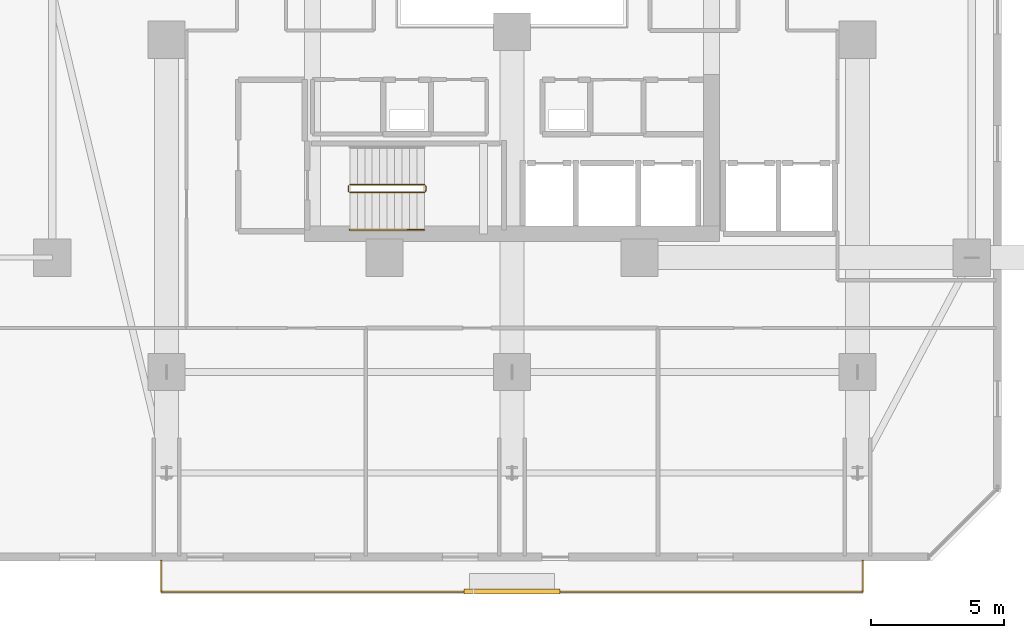
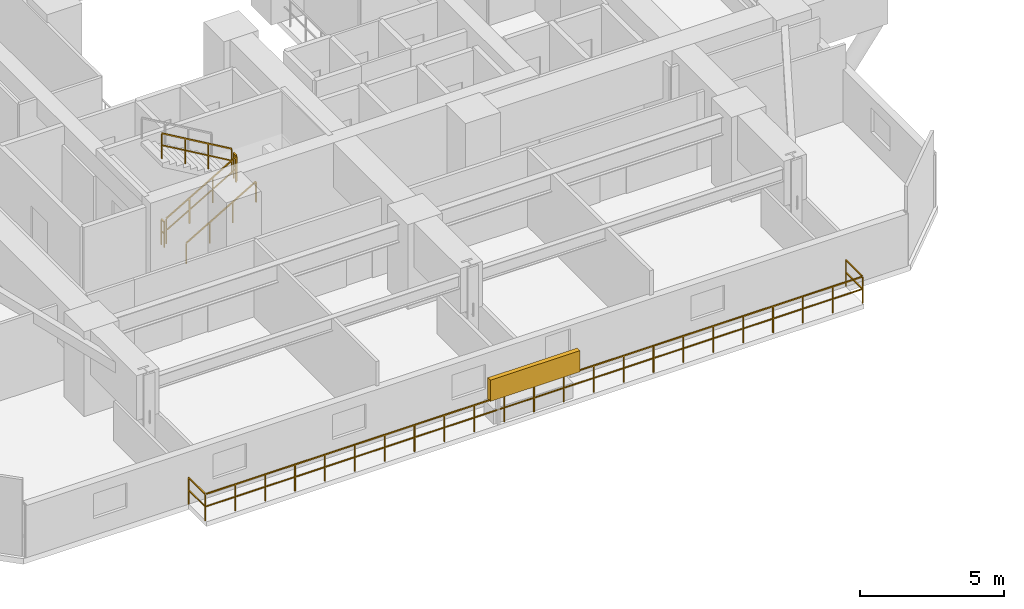
# One storey, part 32 of 36: 6 railings, 1 shading device.
"""IFC4 building model written with IfcOpenShell, lengths in metres."""

from ifc_helpers import new_model, si_unit, direction, frame, origin, origin_2d, place, context, subcontext, project, spatial, rectangle, extrude, material, type_object, element, save


model = new_model("IFC4")

# Units and contexts
model_context = context("Model", 3, precision=1e-05, world=origin(), true_north=direction((0.0, 1.0)))
body_context = subcontext(model_context, "Body", "Model", "MODEL_VIEW")
ifc_project = project(units=[si_unit("LENGTHUNIT", "METRE"), si_unit("AREAUNIT", "SQUARE_METRE"), si_unit("VOLUMEUNIT", "CUBIC_METRE"), si_unit("PLANEANGLEUNIT", "RADIAN"), si_unit("MASSUNIT", "GRAM", prefix="KILO")], contexts=[model_context])

# Site, building, storey
site_placement = place(None, origin())
site = spatial("IfcSite", under=ifc_project, at=site_placement, CompositionType="ELEMENT")
building_placement = place(site_placement, origin())
building = spatial("IfcBuilding", under=site, at=building_placement, Name="Thornwick Lancets Civic Towers", CompositionType="ELEMENT")
storey_placement = place(building_placement, frame((0.0, 0.0, 45.89990234375)))
storey = spatial("IfcBuildingStorey", under=building, at=storey_placement, Name="L11", CompositionType="ELEMENT", Elevation=45.89990234375)

# Railings
ifc_material_1 = material(Name="Brushed stainless steel S355", Category="steel")
railing_type_1 = type_object("IfcRailingType", Name="RAIL_HANDRAIL", PredefinedType="HANDRAIL", material=ifc_material_1)
railing_1_placement = place(storey_placement, frame((19.39990234375, 15.050048828125, 0.163818359375)))
element("IfcRailing", 1, at=railing_1_placement, inside=storey, type_object=railing_type_1, Name="L11 ST-A1 stair handrail 1", PredefinedType="HANDRAIL", context=body_context, shape_type="SweptSolid", body=[
    extrude(rectangle(XDim=0.048095703125, YDim=0.048095703125, at=origin_2d()), frame((0.0, 0.0, 0.8857421875), z_axis=(0.863393664356, 0.0, 0.504530851732), x_axis=(0.0, 1.0, 0.0)), (0.0, 0.0, 1.0), 3.2431640625),
    extrude(rectangle(XDim=0.0419921875, YDim=0.0419921875, at=origin_2d()), origin(), (0.0, 0.0, 1.0), 0.855712890625),
    extrude(rectangle(XDim=0.0419921875, YDim=0.0419921875, at=origin_2d()), frame((0.933349609375, 0.0, 0.54541015625)), (0.0, 0.0, 1.0), 0.855712890625),
    extrude(rectangle(XDim=0.0419921875, YDim=0.0419921875, at=origin_2d()), frame((1.86669921875, 0.0, 1.0908203125)), (0.0, 0.0, 1.0), 0.855712890625),
    extrude(rectangle(XDim=0.0419921875, YDim=0.0419921875, at=origin_2d()), frame((2.800048828125, 0.0, 1.63623046875)), (0.0, 0.0, 1.0), 0.855712890625),
])
ifc_material_2 = material(Name="Steel S355JR", Category="steel")
railing_type_2 = type_object("IfcRailingType", Name="RAIL_STAIR_GUARD", PredefinedType="GUARDRAIL", material=ifc_material_2)
railing_2_placement = place(storey_placement, frame((19.39990234375, 16.449951171875, 0.163818359375)))
element("IfcRailing", 2, at=railing_2_placement, inside=storey, type_object=railing_type_2, Name="L11 ST-A1 stair guard 1", PredefinedType="GUARDRAIL", context=body_context, shape_type="SweptSolid", body=[
    extrude(rectangle(XDim=0.048095703125, YDim=0.048095703125, at=origin_2d()), frame((0.0, 0.0, 1.076171875), z_axis=(0.863393664356, 0.0, 0.504530851732), x_axis=(0.0, 1.0, 0.0)), (0.0, 0.0, 1.0), 3.2431640625),
    extrude(rectangle(XDim=0.0419921875, YDim=0.0419921875, at=origin_2d()), frame((0.032470703125, 0.0, 0.591064453125), z_axis=(0.863393664356, 0.0, 0.504530851732), x_axis=(0.0, 1.0, 0.0)), (0.0, 0.0, 1.0), 1.006103515625),
    extrude(rectangle(XDim=0.0419921875, YDim=0.0419921875, at=origin_2d()), frame((0.9658203125, 0.0, 1.136474609375), z_axis=(0.863393664356, 0.0, 0.504530851732), x_axis=(0.0, 1.0, 0.0)), (0.0, 0.0, 1.0), 1.006103515625),
    extrude(rectangle(XDim=0.0419921875, YDim=0.0419921875, at=origin_2d()), frame((1.899169921875, 0.0, 1.681884765625), z_axis=(0.863393664356, 0.0, 0.504530851732), x_axis=(0.0, 1.0, 0.0)), (0.0, 0.0, 1.0), 1.006103515625),
    extrude(rectangle(XDim=0.0419921875, YDim=0.0419921875, at=origin_2d()), origin(), (0.0, 0.0, 1.0), 1.0458984375),
    extrude(rectangle(XDim=0.0419921875, YDim=0.0419921875, at=origin_2d()), frame((0.933349609375, 0.0, 0.54541015625)), (0.0, 0.0, 1.0), 1.0458984375),
    extrude(rectangle(XDim=0.0419921875, YDim=0.0419921875, at=origin_2d()), frame((1.86669921875, 0.0, 1.0908203125)), (0.0, 0.0, 1.0), 1.0458984375),
    extrude(rectangle(XDim=0.0419921875, YDim=0.0419921875, at=origin_2d()), frame((2.800048828125, 0.0, 1.63623046875)), (0.0, 0.0, 1.0), 1.0458984375),
])
railing_3_placement = place(storey_placement, frame((22.25, 16.5, 1.800048828125)))
element("IfcRailing", 3, at=railing_3_placement, inside=storey, type_object=railing_type_2, Name="L11 ST-A1 stair guard 2", PredefinedType="GUARDRAIL", context=body_context, shape_type="SweptSolid", body=[
    extrude(rectangle(XDim=0.048095703125, YDim=0.048095703125, at=origin_2d()), frame((0.0, 0.0, 1.076171875), z_axis=(0.0, 1.0, 0.0), x_axis=(-1.0, 0.0, 0.0)), (0.0, 0.0, 1.0), 0.199951171875),
    extrude(rectangle(XDim=0.0419921875, YDim=0.0419921875, at=origin_2d()), frame((0.0, 0.03759765625, 0.572021484375), z_axis=(0.0, 1.0, 0.0), x_axis=(-1.0, 0.0, 0.0)), (0.0, 0.0, 1.0), 0.125),
    extrude(rectangle(XDim=0.0419921875, YDim=0.0419921875, at=origin_2d()), origin(), (0.0, 0.0, 1.0), 1.0458984375),
    extrude(rectangle(XDim=0.0419921875, YDim=0.0419921875, at=origin_2d()), frame((0.0, 0.199951171875, 0.0)), (0.0, 0.0, 1.0), 1.0458984375),
])
railing_4_placement = place(storey_placement, frame((22.199951171875, 16.75, 1.963623046875)))
element("IfcRailing", 4, at=railing_4_placement, inside=storey, type_object=railing_type_2, Name="L11 ST-A1 stair guard 3", PredefinedType="GUARDRAIL", context=body_context, shape_type="SweptSolid", body=[
    extrude(rectangle(XDim=0.048095703125, YDim=0.048095703125, at=origin_2d()), frame((0.0, 0.0, 1.076171875), z_axis=(-0.863360870873, 0.0, 0.504586966384), x_axis=(0.0, -1.0, 0.0)), (0.0, 0.0, 1.0), 3.2431640625),
    extrude(rectangle(XDim=0.0419921875, YDim=0.0419921875, at=origin_2d()), frame((-0.032470703125, 0.0, 0.591064453125), z_axis=(-0.863360870873, 0.0, 0.504586966384), x_axis=(0.0, -1.0, 0.0)), (0.0, 0.0, 1.0), 1.006103515625),
    extrude(rectangle(XDim=0.0419921875, YDim=0.0419921875, at=origin_2d()), frame((-0.9658203125, 0.0, 1.136474609375), z_axis=(-0.863360870873, 0.0, 0.504586966384), x_axis=(0.0, -1.0, 0.0)), (0.0, 0.0, 1.0), 1.006103515625),
    extrude(rectangle(XDim=0.0419921875, YDim=0.0419921875, at=origin_2d()), frame((-1.899169921875, 0.0, 1.681884765625), z_axis=(-0.863360870873, 0.0, 0.504586966384), x_axis=(0.0, -1.0, 0.0)), (0.0, 0.0, 1.0), 1.006103515625),
    extrude(rectangle(XDim=0.0419921875, YDim=0.0419921875, at=origin_2d()), origin(), (0.0, 0.0, 1.0), 1.0458984375),
    extrude(rectangle(XDim=0.0419921875, YDim=0.0419921875, at=origin_2d()), frame((-0.933349609375, 0.0, 0.54541015625)), (0.0, 0.0, 1.0), 1.0458984375),
    extrude(rectangle(XDim=0.0419921875, YDim=0.0419921875, at=origin_2d()), frame((-1.86669921875, 0.0, 1.091064453125)), (0.0, 0.0, 1.0), 1.0458984375),
    extrude(rectangle(XDim=0.0419921875, YDim=0.0419921875, at=origin_2d()), frame((-2.800048828125, 0.0, 1.636474609375)), (0.0, 0.0, 1.0), 1.0458984375),
])
railing_5_placement = place(storey_placement, frame((19.35009765625, 16.5, 0.0)))
element("IfcRailing", 5, at=railing_5_placement, inside=storey, type_object=railing_type_2, Name="L11 ST-A1 stair guard 4", PredefinedType="GUARDRAIL", context=body_context, shape_type="SweptSolid", body=[
    extrude(rectangle(XDim=0.048095703125, YDim=0.048095703125, at=origin_2d()), frame((0.0, 0.0, 1.076171875), z_axis=(0.0, 1.0, 0.0), x_axis=(-1.0, 0.0, 0.0)), (0.0, 0.0, 1.0), 0.199951171875),
    extrude(rectangle(XDim=0.0419921875, YDim=0.0419921875, at=origin_2d()), frame((0.0, 0.03759765625, 0.572021484375), z_axis=(0.0, 1.0, 0.0), x_axis=(-1.0, 0.0, 0.0)), (0.0, 0.0, 1.0), 0.125),
    extrude(rectangle(XDim=0.0419921875, YDim=0.0419921875, at=origin_2d()), origin(), (0.0, 0.0, 1.0), 1.0458984375),
    extrude(rectangle(XDim=0.0419921875, YDim=0.0419921875, at=origin_2d()), frame((0.0, 0.199951171875, 0.0)), (0.0, 0.0, 1.0), 1.0458984375),
])
ifc_material_3 = material(Name="Terracotta-capped laminated glass balustrade S355", Category="masonry")
railing_type_3 = type_object("IfcRailingType", Name="RAIL_TERR_GUARD", PredefinedType="GUARDRAIL", material=ifc_material_3)
railing_6_placement = place(storey_placement, frame((12.300048828125, 2.60009765625, 0.0)))
element("IfcRailing", 6, at=railing_6_placement, inside=storey, type_object=railing_type_3, Name="L11 Tower A Balcony Guard S", PredefinedType="GUARDRAIL", context=body_context, shape_type="SweptSolid", body=[
    extrude(rectangle(XDim=0.048095703125, YDim=0.048095703125, at=origin_2d()), frame((0.0, 0.0, 1.1259765625), z_axis=(0.0, -1.0, 0.0), x_axis=(1.0, 0.0, 0.0)), (0.0, 0.0, 1.0), 1.138916015625),
    extrude(rectangle(XDim=0.0419921875, YDim=0.0419921875, at=origin_2d()), frame((0.0, -0.03759765625, 0.597900390625), z_axis=(0.0, -1.0, 0.0), x_axis=(1.0, 0.0, 0.0)), (0.0, 0.0, 1.0), 1.09521484375),
    extrude(rectangle(XDim=0.048095703125, YDim=0.048095703125, at=origin_2d()), frame((0.03125, -1.170166015625, 1.1259765625), z_axis=(1.0, 0.0, 0.0), x_axis=(0.0, 1.0, 0.0)), (0.0, 0.0, 1.0), 26.33740234375),
    extrude(rectangle(XDim=0.0419921875, YDim=0.0419921875, at=origin_2d()), frame((0.03759765625, -1.170166015625, 0.597900390625), z_axis=(1.0, 0.0, 0.0), x_axis=(0.0, 1.0, 0.0)), (0.0, 0.0, 1.0), 1.125),
    extrude(rectangle(XDim=0.0419921875, YDim=0.0419921875, at=origin_2d()), frame((1.237548828125, -1.170166015625, 0.597900390625), z_axis=(1.0, 0.0, 0.0), x_axis=(0.0, 1.0, 0.0)), (0.0, 0.0, 1.0), 1.125),
    extrude(rectangle(XDim=0.0419921875, YDim=0.0419921875, at=origin_2d()), frame((2.4375, -1.170166015625, 0.597900390625), z_axis=(1.0, 0.0, 0.0), x_axis=(0.0, 1.0, 0.0)), (0.0, 0.0, 1.0), 1.125),
    extrude(rectangle(XDim=0.0419921875, YDim=0.0419921875, at=origin_2d()), frame((3.637451171875, -1.170166015625, 0.597900390625), z_axis=(1.0, 0.0, 0.0), x_axis=(0.0, 1.0, 0.0)), (0.0, 0.0, 1.0), 1.125),
    extrude(rectangle(XDim=0.0419921875, YDim=0.0419921875, at=origin_2d()), frame((4.83740234375, -1.170166015625, 0.597900390625), z_axis=(1.0, 0.0, 0.0), x_axis=(0.0, 1.0, 0.0)), (0.0, 0.0, 1.0), 1.125),
    extrude(rectangle(XDim=0.0419921875, YDim=0.0419921875, at=origin_2d()), frame((6.037353515625, -1.170166015625, 0.597900390625), z_axis=(1.0, 0.0, 0.0), x_axis=(0.0, 1.0, 0.0)), (0.0, 0.0, 1.0), 1.125),
    extrude(rectangle(XDim=0.0419921875, YDim=0.0419921875, at=origin_2d()), frame((7.237548828125, -1.170166015625, 0.597900390625), z_axis=(1.0, 0.0, 0.0), x_axis=(0.0, 1.0, 0.0)), (0.0, 0.0, 1.0), 1.125),
    extrude(rectangle(XDim=0.0419921875, YDim=0.0419921875, at=origin_2d()), frame((8.4375, -1.170166015625, 0.597900390625), z_axis=(1.0, 0.0, 0.0), x_axis=(0.0, 1.0, 0.0)), (0.0, 0.0, 1.0), 1.125),
    extrude(rectangle(XDim=0.0419921875, YDim=0.0419921875, at=origin_2d()), frame((9.637451171875, -1.170166015625, 0.597900390625), z_axis=(1.0, 0.0, 0.0), x_axis=(0.0, 1.0, 0.0)), (0.0, 0.0, 1.0), 1.125),
    extrude(rectangle(XDim=0.0419921875, YDim=0.0419921875, at=origin_2d()), frame((10.83740234375, -1.170166015625, 0.597900390625), z_axis=(1.0, 0.0, 0.0), x_axis=(0.0, 1.0, 0.0)), (0.0, 0.0, 1.0), 1.125),
    extrude(rectangle(XDim=0.0419921875, YDim=0.0419921875, at=origin_2d()), frame((12.037353515625, -1.170166015625, 0.597900390625), z_axis=(1.0, 0.0, 0.0), x_axis=(0.0, 1.0, 0.0)), (0.0, 0.0, 1.0), 1.125),
    extrude(rectangle(XDim=0.0419921875, YDim=0.0419921875, at=origin_2d()), frame((13.237548828125, -1.170166015625, 0.597900390625), z_axis=(1.0, 0.0, 0.0), x_axis=(0.0, 1.0, 0.0)), (0.0, 0.0, 1.0), 1.125),
    extrude(rectangle(XDim=0.0419921875, YDim=0.0419921875, at=origin_2d()), frame((14.4375, -1.170166015625, 0.597900390625), z_axis=(1.0, 0.0, 0.0), x_axis=(0.0, 1.0, 0.0)), (0.0, 0.0, 1.0), 1.125),
    extrude(rectangle(XDim=0.0419921875, YDim=0.0419921875, at=origin_2d()), frame((15.637451171875, -1.170166015625, 0.597900390625), z_axis=(1.0, 0.0, 0.0), x_axis=(0.0, 1.0, 0.0)), (0.0, 0.0, 1.0), 1.125),
    extrude(rectangle(XDim=0.0419921875, YDim=0.0419921875, at=origin_2d()), frame((16.83740234375, -1.170166015625, 0.597900390625), z_axis=(1.0, 0.0, 0.0), x_axis=(0.0, 1.0, 0.0)), (0.0, 0.0, 1.0), 1.125),
    extrude(rectangle(XDim=0.0419921875, YDim=0.0419921875, at=origin_2d()), frame((18.037353515625, -1.170166015625, 0.597900390625), z_axis=(1.0, 0.0, 0.0), x_axis=(0.0, 1.0, 0.0)), (0.0, 0.0, 1.0), 1.125),
    extrude(rectangle(XDim=0.0419921875, YDim=0.0419921875, at=origin_2d()), frame((19.2373046875, -1.170166015625, 0.597900390625), z_axis=(1.0, 0.0, 0.0), x_axis=(0.0, 1.0, 0.0)), (0.0, 0.0, 1.0), 1.125),
    extrude(rectangle(XDim=0.0419921875, YDim=0.0419921875, at=origin_2d()), frame((20.4375, -1.170166015625, 0.597900390625), z_axis=(1.0, 0.0, 0.0), x_axis=(0.0, 1.0, 0.0)), (0.0, 0.0, 1.0), 1.125),
    extrude(rectangle(XDim=0.0419921875, YDim=0.0419921875, at=origin_2d()), frame((21.637451171875, -1.170166015625, 0.597900390625), z_axis=(1.0, 0.0, 0.0), x_axis=(0.0, 1.0, 0.0)), (0.0, 0.0, 1.0), 1.125),
    extrude(rectangle(XDim=0.0419921875, YDim=0.0419921875, at=origin_2d()), frame((22.83740234375, -1.170166015625, 0.597900390625), z_axis=(1.0, 0.0, 0.0), x_axis=(0.0, 1.0, 0.0)), (0.0, 0.0, 1.0), 1.125),
    extrude(rectangle(XDim=0.0419921875, YDim=0.0419921875, at=origin_2d()), frame((24.037353515625, -1.170166015625, 0.597900390625), z_axis=(1.0, 0.0, 0.0), x_axis=(0.0, 1.0, 0.0)), (0.0, 0.0, 1.0), 1.125),
    extrude(rectangle(XDim=0.0419921875, YDim=0.0419921875, at=origin_2d()), frame((25.2373046875, -1.170166015625, 0.597900390625), z_axis=(1.0, 0.0, 0.0), x_axis=(0.0, 1.0, 0.0)), (0.0, 0.0, 1.0), 1.125),
    extrude(rectangle(XDim=0.048095703125, YDim=0.048095703125, at=origin_2d()), frame((26.39990234375, -1.138916015625, 1.1259765625), z_axis=(0.0, 1.0, 0.0), x_axis=(-1.0, 0.0, 0.0)), (0.0, 0.0, 1.0), 1.138916015625),
    extrude(rectangle(XDim=0.0419921875, YDim=0.0419921875, at=origin_2d()), frame((26.39990234375, -1.132568359375, 0.597900390625), z_axis=(0.0, 1.0, 0.0), x_axis=(-1.0, 0.0, 0.0)), (0.0, 0.0, 1.0), 1.09521484375),
    extrude(rectangle(XDim=0.0419921875, YDim=0.0419921875, at=origin_2d()), origin(), (0.0, 0.0, 1.0), 1.095703125),
    extrude(rectangle(XDim=0.0419921875, YDim=0.0419921875, at=origin_2d()), frame((0.0, -1.170166015625, 0.0)), (0.0, 0.0, 1.0), 1.095703125),
    extrude(rectangle(XDim=0.0419921875, YDim=0.0419921875, at=origin_2d()), frame((1.199951171875, -1.170166015625, 0.0)), (0.0, 0.0, 1.0), 1.095703125),
    extrude(rectangle(XDim=0.0419921875, YDim=0.0419921875, at=origin_2d()), frame((2.39990234375, -1.170166015625, 0.0)), (0.0, 0.0, 1.0), 1.095703125),
    extrude(rectangle(XDim=0.0419921875, YDim=0.0419921875, at=origin_2d()), frame((3.60009765625, -1.170166015625, 0.0)), (0.0, 0.0, 1.0), 1.095703125),
    extrude(rectangle(XDim=0.0419921875, YDim=0.0419921875, at=origin_2d()), frame((4.800048828125, -1.170166015625, 0.0)), (0.0, 0.0, 1.0), 1.095703125),
    extrude(rectangle(XDim=0.0419921875, YDim=0.0419921875, at=origin_2d()), frame((6.0, -1.170166015625, 0.0)), (0.0, 0.0, 1.0), 1.095703125),
    extrude(rectangle(XDim=0.0419921875, YDim=0.0419921875, at=origin_2d()), frame((7.199951171875, -1.170166015625, 0.0)), (0.0, 0.0, 1.0), 1.095703125),
    extrude(rectangle(XDim=0.0419921875, YDim=0.0419921875, at=origin_2d()), frame((8.39990234375, -1.170166015625, 0.0)), (0.0, 0.0, 1.0), 1.095703125),
    extrude(rectangle(XDim=0.0419921875, YDim=0.0419921875, at=origin_2d()), frame((9.599853515625, -1.170166015625, 0.0)), (0.0, 0.0, 1.0), 1.095703125),
    extrude(rectangle(XDim=0.0419921875, YDim=0.0419921875, at=origin_2d()), frame((10.800048828125, -1.170166015625, 0.0)), (0.0, 0.0, 1.0), 1.095703125),
    extrude(rectangle(XDim=0.0419921875, YDim=0.0419921875, at=origin_2d()), frame((12.0, -1.170166015625, 0.0)), (0.0, 0.0, 1.0), 1.095703125),
    extrude(rectangle(XDim=0.0419921875, YDim=0.0419921875, at=origin_2d()), frame((13.199951171875, -1.170166015625, 0.0)), (0.0, 0.0, 1.0), 1.095703125),
    extrude(rectangle(XDim=0.0419921875, YDim=0.0419921875, at=origin_2d()), frame((14.39990234375, -1.170166015625, 0.0)), (0.0, 0.0, 1.0), 1.095703125),
    extrude(rectangle(XDim=0.0419921875, YDim=0.0419921875, at=origin_2d()), frame((15.599853515625, -1.170166015625, 0.0)), (0.0, 0.0, 1.0), 1.095703125),
    extrude(rectangle(XDim=0.0419921875, YDim=0.0419921875, at=origin_2d()), frame((16.800048828125, -1.170166015625, 0.0)), (0.0, 0.0, 1.0), 1.095703125),
    extrude(rectangle(XDim=0.0419921875, YDim=0.0419921875, at=origin_2d()), frame((18.0, -1.170166015625, 0.0)), (0.0, 0.0, 1.0), 1.095703125),
    extrude(rectangle(XDim=0.0419921875, YDim=0.0419921875, at=origin_2d()), frame((19.199951171875, -1.170166015625, 0.0)), (0.0, 0.0, 1.0), 1.095703125),
    extrude(rectangle(XDim=0.0419921875, YDim=0.0419921875, at=origin_2d()), frame((20.39990234375, -1.170166015625, 0.0)), (0.0, 0.0, 1.0), 1.095703125),
    extrude(rectangle(XDim=0.0419921875, YDim=0.0419921875, at=origin_2d()), frame((21.599853515625, -1.170166015625, 0.0)), (0.0, 0.0, 1.0), 1.095703125),
    extrude(rectangle(XDim=0.0419921875, YDim=0.0419921875, at=origin_2d()), frame((22.7998046875, -1.170166015625, 0.0)), (0.0, 0.0, 1.0), 1.095703125),
    extrude(rectangle(XDim=0.0419921875, YDim=0.0419921875, at=origin_2d()), frame((24.0, -1.170166015625, 0.0)), (0.0, 0.0, 1.0), 1.095703125),
    extrude(rectangle(XDim=0.0419921875, YDim=0.0419921875, at=origin_2d()), frame((25.199951171875, -1.170166015625, 0.0)), (0.0, 0.0, 1.0), 1.095703125),
    extrude(rectangle(XDim=0.0419921875, YDim=0.0419921875, at=origin_2d()), frame((26.39990234375, -1.170166015625, 0.0)), (0.0, 0.0, 1.0), 1.095703125),
    extrude(rectangle(XDim=0.0419921875, YDim=0.0419921875, at=origin_2d()), frame((26.39990234375, 0.0, 0.0)), (0.0, 0.0, 1.0), 1.095703125),
])

# Shading device
ifc_material_4 = material(Name="Extruded terracotta baguette solar screen", Category="masonry")
shading_device_type = type_object("IfcShadingDeviceType", Name="SHADE_BAGUETTE", PredefinedType="JALOUSIE", material=ifc_material_4)
shading_device_placement = place(storey_placement, frame((25.5, 1.43994140625, 1.1201171875), z_axis=(0.0, 0.0, 1.0), x_axis=(1.0, 0.0, 0.0)))
element("IfcShadingDevice", 7, at=shading_device_placement, inside=storey, type_object=shading_device_type, Name="L11 Tower A Terracotta Baguette Screen S", PredefinedType="JALOUSIE", context=body_context, shape_type="SweptSolid", body=[
    extrude(rectangle(XDim=3.60009765625, YDim=0.179931640625, at=origin_2d()), origin(), (0.0, 0.0, 1.0), 0.89990234375),
])

save(model, "model.ifc")
